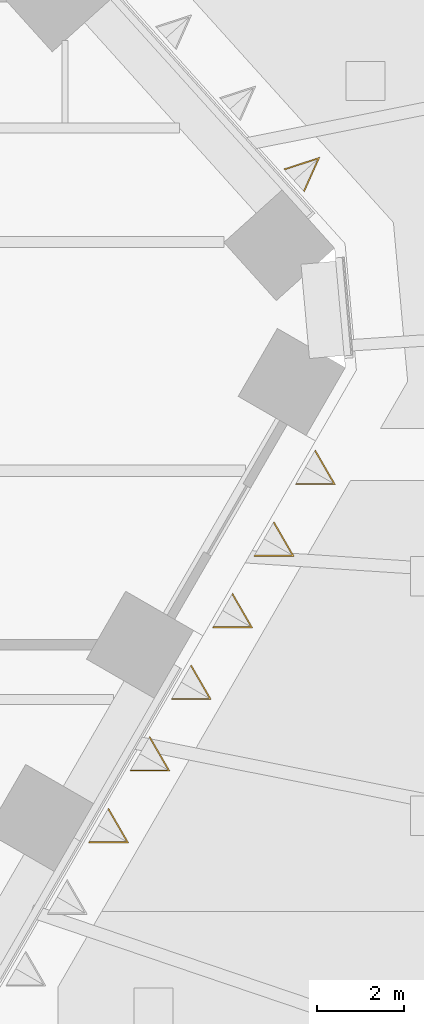
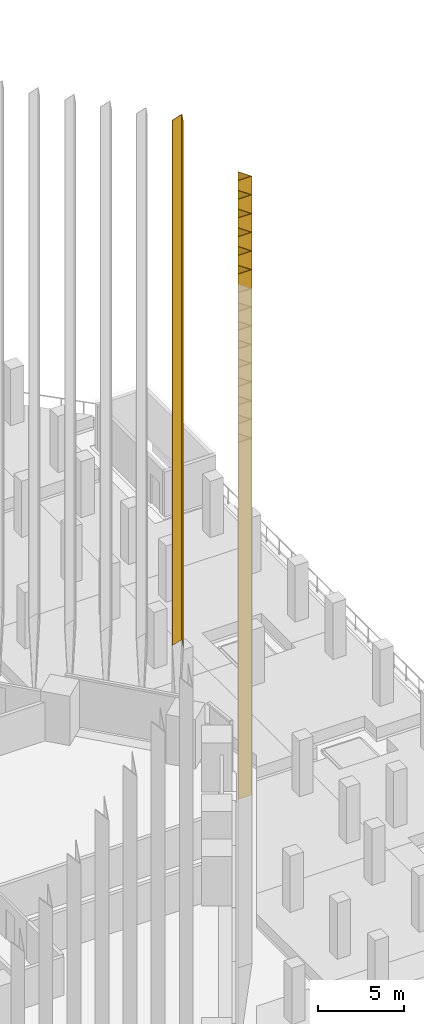
# One storey, part 40 of 51: 7 coverings.
"""IFC4 building model written with IfcOpenShell, lengths in metres."""

from ifc_helpers import new_model, si_unit, direction, frame, origin, place, context, subcontext, project, spatial, polyline, outline, extrude, material, material_profile, profile_set, type_object, element, save


model = new_model("IFC4")

# Units and contexts
model_context = context("Model", 3, precision=1e-05, world=origin(), true_north=direction((0.0, 1.0)))
body_context = subcontext(model_context, "Body", "Model", "MODEL_VIEW")
ifc_project = project(units=[si_unit("LENGTHUNIT", "METRE"), si_unit("AREAUNIT", "SQUARE_METRE"), si_unit("VOLUMEUNIT", "CUBIC_METRE"), si_unit("PLANEANGLEUNIT", "RADIAN"), si_unit("MASSUNIT", "GRAM", prefix="KILO")], contexts=[model_context])

# Site, building, storey
site_placement = place(None, origin())
site = spatial("IfcSite", under=ifc_project, at=site_placement, CompositionType="ELEMENT")
building_placement = place(site_placement, origin())
building = spatial("IfcBuilding", under=site, at=building_placement, Name="Isthmus Gate Tower", CompositionType="ELEMENT")
storey_placement = place(building_placement, frame((0.0, 0.0, 36.0)))
storey = spatial("IfcBuildingStorey", under=building, at=storey_placement, Name="L06", CompositionType="ELEMENT", Elevation=36.0)

# Coverings
ifc_material_1 = material(Name="Structural steel ASTM A572 Gr 50, white paint system", Category="steel")
ifc_material_profile_1 = material_profile(ifc_material_1, outline(polyline([(0.0, -0.356201171875), (0.800048828125, 0.0), (0.0, 0.356201171875), (0.0, 0.3232421875), (0.726318359375, 0.0), (0.0, -0.3232421875), (0.0, -0.356201171875)])), Name="V800")
ifc_profile_set_1 = profile_set([ifc_material_profile_1], Name="Structural steel ASTM A572 Gr 50, white paint system")
covering_type_1 = type_object("IfcCoveringType", Name="FIN V 800 DEEP", PredefinedType="CLADDING", material=ifc_profile_set_1)
covering_placement = place(storey_placement, frame((36.924560546875, 6.292236328125, 6.89990234375), z_axis=(0.0, 0.0, 1.0), x_axis=(0.743144825477, 0.669130606359, 0.0)))
element("IfcCovering", 1, at=covering_placement, inside=storey, type_object=covering_type_1, Name="FIN", ObjectType="FIN", PredefinedType="CLADDING", context=body_context, shape_type="SweptSolid", body=[
    extrude(outline(polyline([(0.0, -0.356201171875), (0.800048828125, 0.0), (0.0, 0.356201171875), (0.0, 0.3232421875), (0.726318359375, 0.0), (0.0, -0.3232421875), (0.0, -0.356201171875)])), origin(), (0.0, 0.0, 1.0), 37.35009765625),
])
ifc_material_2 = material(Name="Structural steel ASTM A572 Gr 50, white paint system", Category="steel")
ifc_material_profile_2 = material_profile(ifc_material_2, outline(polyline([(0.0, -0.4619140625), (0.800048828125, 0.0), (0.0, 0.4619140625), (0.0, 0.42724609375), (0.739990234375, 0.0), (0.0, -0.42724609375), (0.0, -0.4619140625)])), Name="V800W")
ifc_profile_set_2 = profile_set([ifc_material_profile_2], Name="Structural steel ASTM A572 Gr 50, white paint system")
covering_type_2 = type_object("IfcCoveringType", Name="FIN V 800 DEEP WIDE", PredefinedType="CLADDING", material=ifc_profile_set_2)
for number, where, z_axis, x_axis, name in (
    (2, (32.4345703125, -8.521728515625, 6.89990234375), (0.0, 0.0, 1.0), (0.866025403784, -0.5, 0.0), "FIN"),
    (3, (33.384521484375, -6.876220703125, 6.89990234375), (0.0, 0.0, 1.0), (0.866025403784, -0.5, 0.0), "FIN"),
    (4, (34.33447265625, -5.23095703125, 6.89990234375), (0.0, 0.0, 1.0), (0.866025403784, -0.5, 0.0), "FIN"),
    (5, (35.284423828125, -3.58544921875, 6.89990234375), (0.0, 0.0, 1.0), (0.866025403784, -0.5, 0.0), "FIN"),
    (6, (36.234619140625, -1.93994140625, 6.89990234375), (0.0, 0.0, 1.0), (0.866025403784, -0.5, 0.0), "FIN"),
    (7, (37.1845703125, -0.29443359375, 6.89990234375), (0.0, 0.0, 1.0), (0.866025403784, -0.5, 0.0), "FIN"),
):
    element("IfcCovering", number, at=place(storey_placement, frame(where, z_axis=z_axis, x_axis=x_axis)), inside=storey, type_object=covering_type_2, Name=name, ObjectType="FIN", PredefinedType="CLADDING", context=body_context, shape_type="SweptSolid", body=[
        extrude(outline(polyline([(0.0, -0.4619140625), (0.800048828125, 0.0), (0.0, 0.4619140625), (0.0, 0.42724609375), (0.739990234375, 0.0), (0.0, -0.42724609375), (0.0, -0.4619140625)])), origin(), (0.0, 0.0, 1.0), 37.35009765625),
    ])

save(model, "model.ifc")
